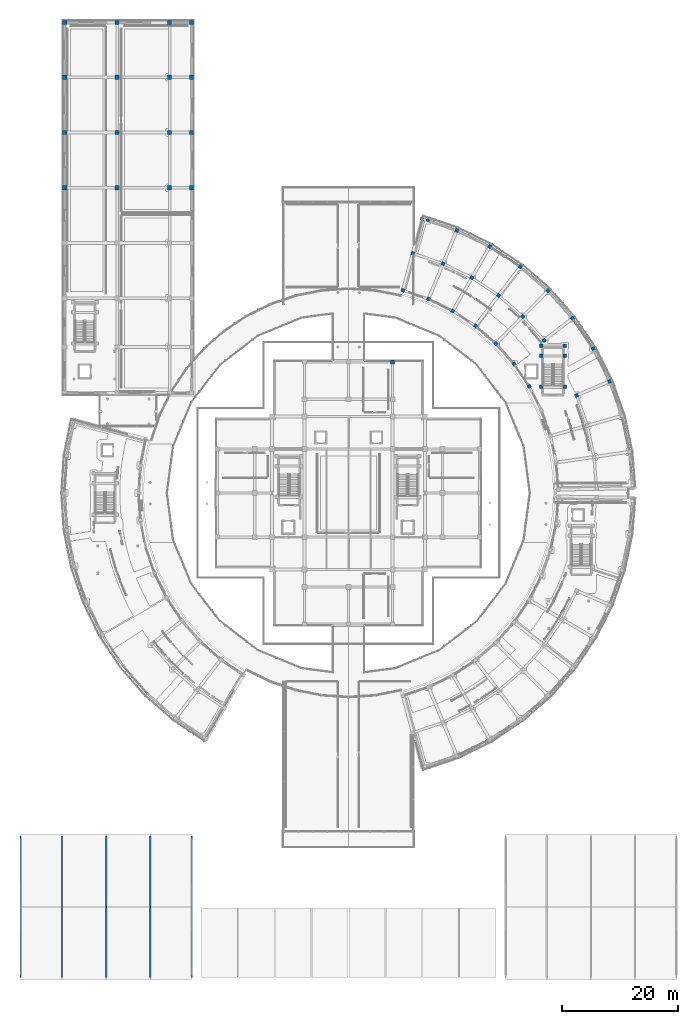
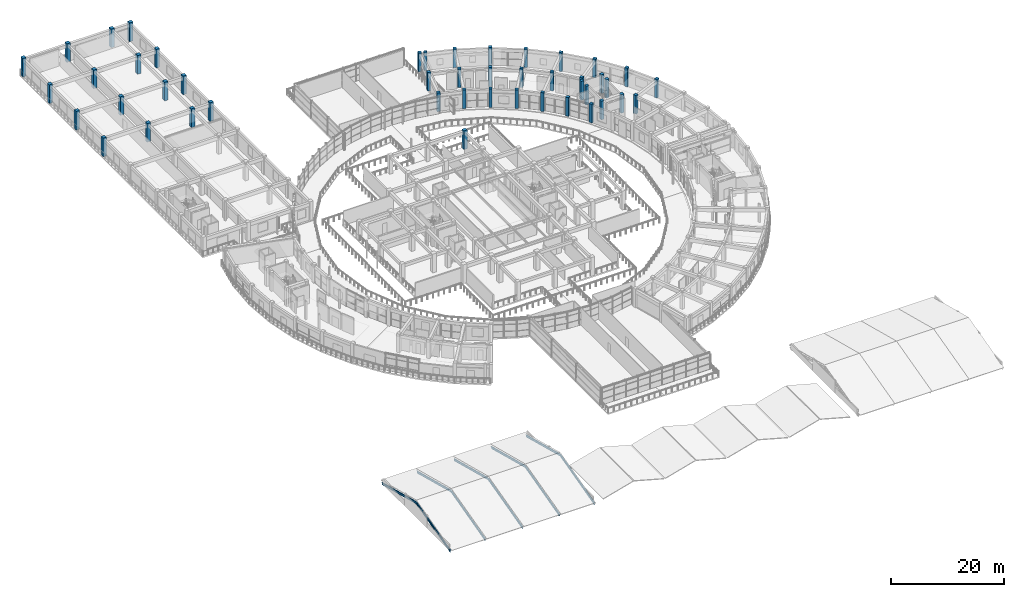
# One storey, part 10 of 83: 46 columns, 10 members.
"""IFC4 building model written with IfcOpenShell, lengths in metres."""

from ifc_helpers import new_model, si_unit, direction, frame, origin, origin_2d, place, context, subcontext, project, spatial, rectangle, i_section, extrude, material, material_profile, profile_set, type_object, element, save


model = new_model("IFC4")

# Units and contexts
model_context = context("Model", 3, precision=1e-05, world=origin(), true_north=direction((0.0, 1.0)))
body_context = subcontext(model_context, "Body", "Model", "MODEL_VIEW")
ifc_project = project(units=[si_unit("LENGTHUNIT", "METRE"), si_unit("AREAUNIT", "SQUARE_METRE"), si_unit("VOLUMEUNIT", "CUBIC_METRE"), si_unit("PLANEANGLEUNIT", "RADIAN"), si_unit("MASSUNIT", "GRAM", prefix="KILO")], contexts=[model_context])

# Site, building, storey
site_placement = place(None, origin())
site = spatial("IfcSite", under=ifc_project, at=site_placement, CompositionType="ELEMENT")
building_placement = place(site_placement, origin())
building = spatial("IfcBuilding", under=site, at=building_placement, Name="Saryqyr Civic Hall", CompositionType="ELEMENT")
storey_placement = place(building_placement, frame((0.0, 0.0, 9.14990234375)))
storey = spatial("IfcBuildingStorey", under=building, at=storey_placement, Name="L02", CompositionType="ELEMENT", Elevation=9.14990234375)

# Columns
ifc_material_1 = material(Name="Concrete C40/50", Category="concrete")
ifc_material_profile_1 = material_profile(ifc_material_1, rectangle(XDim=0.60009765625, YDim=0.60009765625, at=origin_2d()), Name="RC 600x600")
ifc_profile_set_1 = profile_set([ifc_material_profile_1], Name="Concrete C40/50")
column_type_1 = type_object("IfcColumnType", Name="STR-COL-RC600-C40", PredefinedType="COLUMN", material=ifc_profile_set_1)
for number, where, z_axis, x_axis, name in (
    (1, (96.349365234375, 100.836669921875, 0.0), (0.0, 0.0, 1.0), (0.919410138581, 0.393300136124, 0.0), "Column V6-COL-MID03-L02"),
    (2, (102.04931640625, 103.275634765625, 0.0), (0.0, 0.0, 1.0), (0.919410138581, 0.393300136124, 0.0), "Column V6-COL-OUT03-L02"),
    (3, (88.16845703125, 102.410888671875, 0.0), (0.0, 0.0, 1.0), (0.861008442465, 0.508590662521, 0.0), "Column V6-COL-IN04-L02"),
    (4, (99.189453125, 108.9208984375, 0.0), (0.0, 0.0, 1.0), (0.861008442465, 0.508590662521, 0.0), "Column V6-COL-OUT04-L02"),
    (5, (85.53564453125, 106.2744140625, 0.0), (0.0, 0.0, 1.0), (0.78822561199, 0.615386370179, 0.0), "Column V6-COL-IN05-L02"),
    (6, (90.73828125, 110.335693359375, 0.0), (0.0, 0.0, 1.0), (0.78822561199, 0.615386370179, 0.0), "Column V6-COL-MID05-L02"),
    (7, (95.625732421875, 114.150634765625, 0.0), (0.0, 0.0, 1.0), (0.78822561199, 0.615386370179, 0.0), "Column V6-COL-OUT05-L02"),
    (8, (82.427001953125, 109.7666015625, 0.0), (0.0, 0.0, 1.0), (0.70240155419, 0.711780904964, 0.0), "Column V6-COL-IN06-L02"),
    (9, (87.062744140625, 114.464111328125, 0.0), (0.0, 0.0, 1.0), (0.70240155419, 0.711780904964, 0.0), "Column V6-COL-MID06-L02"),
    (10, (91.417724609375, 118.877197265625, 0.0), (0.0, 0.0, 1.0), (0.70240155419, 0.711780904964, 0.0), "Column V6-COL-OUT06-L02"),
    (11, (78.89404296875, 112.82861328125, 0.0), (0.0, 0.0, 1.0), (0.60473812635, 0.796424383441, 0.0), "Column V6-COL-IN07-L02"),
    (12, (82.8857421875, 118.084716796875, 0.0), (0.0, 0.0, 1.0), (0.60473812635, 0.796424383441, 0.0), "Column V6-COL-MID07-L02"),
    (13, (86.635498046875, 123.022216796875, 0.0), (0.0, 0.0, 1.0), (0.60473812635, 0.796424383441, 0.0), "Column V6-COL-OUT07-L02"),
    (14, (74.995849609375, 115.409912109375, 0.0), (0.0, 0.0, 1.0), (0.4971254071, 0.867678701833, 0.0), "Column V6-COL-IN08-L02"),
    (15, (78.277099609375, 121.13671875, 0.0), (0.0, 0.0, 1.0), (0.4971254071, 0.867678701833, 0.0), "Column V6-COL-MID08-L02"),
    (16, (81.359130859375, 126.516357421875, 0.0), (0.0, 0.0, 1.0), (0.4971254071, 0.867678701833, 0.0), "Column V6-COL-OUT08-L02"),
    (17, (70.797607421875, 117.46728515625, 0.0), (0.0, 0.0, 1.0), (0.381231734269, 0.924479510204, 0.0), "Column V6-COL-IN09-L02"),
    (18, (73.313232421875, 123.569091796875, 0.0), (0.0, 0.0, 1.0), (0.381231734269, 0.924479510204, 0.0), "Column V6-COL-MID09-L02"),
    (19, (75.676513671875, 129.301025390625, 0.0), (0.0, 0.0, 1.0), (0.381231734269, 0.924479510204, 0.0), "Column V6-COL-OUT09-L02"),
    (20, (66.369140625, 118.966552734375, 0.0), (0.0, 0.0, 1.0), (0.258819045103, 0.965925826289, 0.0), "Column V6-COL-IN10-L02"),
    (21, (68.077392578125, 125.341552734375, 0.0), (0.0, 0.0, 1.0), (0.258819045103, 0.965925826289, 0.0), "Column V6-COL-MID10-L02"),
    (22, (69.68212890625, 131.330322265625, 0.0), (0.0, 0.0, 1.0), (0.258819045103, 0.965925826289, 0.0), "Column V6-COL-OUT10-L02"),
    (23, (94.340087890625, 102.3349609375, 0.0), (0.0, 0.0, 1.0), (1.0, 0.0, 0.0), "Column ST-6-SCOL-TRMA-L02"),
    (24, (90.219970703125, 102.3349609375, 0.0), (0.0, 0.0, 1.0), (1.0, 0.0, 0.0), "Column ST-6-SCOL-TRMB-L02"),
    (25, (94.340087890625, 107.64990234375, 0.0), (0.0, 0.0, 1.0), (1.0, 0.0, 0.0), "Column ST-6-SCOL-LND1A-L02"),
    (26, (90.219970703125, 107.64990234375, 0.0), (0.0, 0.0, 1.0), (1.0, 0.0, 0.0), "Column ST-6-SCOL-LND1B-L02"),
    (27, (94.340087890625, 109.3798828125, 0.0), (0.0, 0.0, 1.0), (1.0, 0.0, 0.0), "Column ST-6-SCOL-LND2A-L02"),
    (28, (90.219970703125, 109.3798828125, 0.0), (0.0, 0.0, 1.0), (1.0, 0.0, 0.0), "Column ST-6-SCOL-LND2B-L02"),
):
    element("IfcColumn", number, at=place(storey_placement, frame(where, z_axis=z_axis, x_axis=x_axis)), inside=storey, type_object=column_type_1, Name=name, PredefinedType="COLUMN", context=body_context, shape_type="SweptSolid", body=[
        extrude(rectangle(XDim=0.60009765625, YDim=0.60009765625, at=origin_2d()), origin(), (0.0, 0.0, 1.0), 4.050048828125),
    ])
ifc_material_profile_2 = material_profile(ifc_material_1, rectangle(XDim=0.699951171875, YDim=0.699951171875, at=origin_2d()), Name="RC 700x700")
ifc_profile_set_2 = profile_set([ifc_material_profile_2], Name="Concrete C40/50")
column_type_2 = type_object("IfcColumnType", Name="STR-COL-RC700-C40", PredefinedType="COLUMN", material=ifc_profile_set_2)
for number, where, z_axis, x_axis, name in (
    (29, (64.60009765625, 106.60009765625, 0.0), (0.0, 0.0, 1.0), (1.0, 0.0, 0.0), "Column V1-COL-S1P12-L02"),
    (30, (8.050048828125, 136.659912109375, 0.0), (0.0, 0.0, 1.0), (1.0, 0.0, 0.0), "Column V3-COL-15-L02"),
    (31, (8.050048828125, 146.18994140625, 0.0), (0.0, 0.0, 1.0), (1.0, 0.0, 0.0), "Column V3-COL-16-L02"),
    (32, (8.050048828125, 155.719970703125, 0.0), (0.0, 0.0, 1.0), (1.0, 0.0, 0.0), "Column V3-COL-17-L02"),
    (33, (8.050048828125, 165.14990234375, 0.0), (0.0, 0.0, 1.0), (1.0, 0.0, 0.0), "Column V3-COL-18-L02"),
    (34, (17.10009765625, 136.659912109375, 0.0), (0.0, 0.0, 1.0), (1.0, 0.0, 0.0), "Column V3-COL-25-L02"),
    (35, (17.10009765625, 146.18994140625, 0.0), (0.0, 0.0, 1.0), (1.0, 0.0, 0.0), "Column V3-COL-26-L02"),
    (36, (17.10009765625, 155.719970703125, 0.0), (0.0, 0.0, 1.0), (1.0, 0.0, 0.0), "Column V3-COL-27-L02"),
    (37, (17.10009765625, 165.14990234375, 0.0), (0.0, 0.0, 1.0), (1.0, 0.0, 0.0), "Column V3-COL-28-L02"),
    (38, (26.14990234375, 136.659912109375, 0.0), (0.0, 0.0, 1.0), (1.0, 0.0, 0.0), "Column V3-COL-35-L02"),
    (39, (26.14990234375, 146.18994140625, 0.0), (0.0, 0.0, 1.0), (1.0, 0.0, 0.0), "Column V3-COL-36-L02"),
    (40, (26.14990234375, 155.719970703125, 0.0), (0.0, 0.0, 1.0), (1.0, 0.0, 0.0), "Column V3-COL-37-L02"),
    (41, (26.14990234375, 165.14990234375, 0.0), (0.0, 0.0, 1.0), (1.0, 0.0, 0.0), "Column V3-COL-38-L02"),
    (42, (29.949951171875, 136.659912109375, 0.0), (0.0, 0.0, 1.0), (1.0, 0.0, 0.0), "Column V3-COL-45-L02"),
    (43, (29.949951171875, 146.18994140625, 0.0), (0.0, 0.0, 1.0), (1.0, 0.0, 0.0), "Column V3-COL-46-L02"),
    (44, (29.949951171875, 155.719970703125, 0.0), (0.0, 0.0, 1.0), (1.0, 0.0, 0.0), "Column V3-COL-47-L02"),
    (45, (29.949951171875, 165.14990234375, 0.0), (0.0, 0.0, 1.0), (1.0, 0.0, 0.0), "Column V3-COL-48-L02"),
):
    element("IfcColumn", number, at=place(storey_placement, frame(where, z_axis=z_axis, x_axis=x_axis)), inside=storey, type_object=column_type_2, Name=name, PredefinedType="COLUMN", context=body_context, shape_type="SweptSolid", body=[
        extrude(rectangle(XDim=0.699951171875, YDim=0.699951171875, at=origin_2d()), origin(), (0.0, 0.0, 1.0), 4.050048828125),
    ])
ifc_material_profile_3 = material_profile(ifc_material_1, rectangle(XDim=0.39990234375, YDim=0.60009765625, at=origin_2d()), Name="RC 400x600")
ifc_profile_set_3 = profile_set([ifc_material_profile_3], Name="Concrete C40/50")
column_type_3 = type_object("IfcColumnType", Name="STR-PIL-RC400x600-EXT", PredefinedType="PILASTER", material=ifc_profile_set_3)
column_placement = place(storey_placement, frame((70.670654296875, 131.054443359375, 0.0), z_axis=(0.0, 0.0, 1.0), x_axis=(0.258819045103, 0.965925826289, 0.0)))
element("IfcColumn", 46, at=column_placement, inside=storey, type_object=column_type_3, Name="Column V6-PIL-10-L02", PredefinedType="PILASTER", context=body_context, shape_type="SweptSolid", body=[
    extrude(rectangle(XDim=0.39990234375, YDim=0.60009765625, at=origin_2d()), origin(), (0.0, 0.0, 1.0), 4.050048828125),
])

# Members
ifc_material_2 = material(Name="Steel S355", Category="steel")
ifc_material_profile_4 = material_profile(ifc_material_2, i_section(OverallWidth=0.18994140625, OverallDepth=0.449951171875, WebThickness=0.009521484375, FlangeThickness=0.0146484375, at=origin_2d()), Name="IPE 450")
ifc_profile_set_4 = profile_set([ifc_material_profile_4], Name="Steel S355")
member_type = type_object("IfcMemberType", Name="STR-RAF-IPE450", PredefinedType="RAFTER", material=ifc_profile_set_4)
member_1_placement = place(storey_placement, frame((0.449951171875, 0.449951171875, -0.489990234375), z_axis=(0.0, 0.967301750199, 0.253628318732), x_axis=(-1.0, 0.0, 0.0)))
element("IfcMember", 47, at=member_1_placement, inside=storey, type_object=member_type, Name="V7W-RAF-S-1-0", PredefinedType="RAFTER", context=body_context, shape_type="SweptSolid", body=[
    extrude(i_section(OverallWidth=0.18994140625, OverallDepth=0.449951171875, WebThickness=0.009521484375, FlangeThickness=0.0146484375, at=origin_2d()), origin(), (0.0, 0.0, 1.0), 12.560791015625),
])
member_2_placement = place(storey_placement, frame((0.449951171875, 24.75, -0.489990234375), z_axis=(0.0, -0.967300499858, 0.253633087302), x_axis=(1.0, 0.0, 0.0)))
element("IfcMember", 48, at=member_2_placement, inside=storey, type_object=member_type, Name="V7W-RAF-N-1-0", PredefinedType="RAFTER", context=body_context, shape_type="SweptSolid", body=[
    extrude(i_section(OverallWidth=0.18994140625, OverallDepth=0.449951171875, WebThickness=0.009521484375, FlangeThickness=0.0146484375, at=origin_2d()), origin(), (0.0, 0.0, 1.0), 12.560546875),
])
member_3_placement = place(storey_placement, frame((7.60009765625, 0.449951171875, -0.489990234375), z_axis=(0.0, 0.967301750199, 0.253628318732), x_axis=(-1.0, 0.0, 0.0)))
element("IfcMember", 49, at=member_3_placement, inside=storey, type_object=member_type, Name="V7W-RAF-S-1-7", PredefinedType="RAFTER", context=body_context, shape_type="SweptSolid", body=[
    extrude(i_section(OverallWidth=0.18994140625, OverallDepth=0.449951171875, WebThickness=0.009521484375, FlangeThickness=0.0146484375, at=origin_2d()), origin(), (0.0, 0.0, 1.0), 12.560791015625),
])
member_4_placement = place(storey_placement, frame((7.60009765625, 24.75, -0.489990234375), z_axis=(0.0, -0.967300499858, 0.253633087302), x_axis=(1.0, 0.0, 0.0)))
element("IfcMember", 50, at=member_4_placement, inside=storey, type_object=member_type, Name="V7W-RAF-N-1-7", PredefinedType="RAFTER", context=body_context, shape_type="SweptSolid", body=[
    extrude(i_section(OverallWidth=0.18994140625, OverallDepth=0.449951171875, WebThickness=0.009521484375, FlangeThickness=0.0146484375, at=origin_2d()), origin(), (0.0, 0.0, 1.0), 12.560546875),
])
member_5_placement = place(storey_placement, frame((15.199951171875, 0.449951171875, -0.489990234375), z_axis=(0.0, 0.967301750199, 0.253628318732), x_axis=(-1.0, 0.0, 0.0)))
element("IfcMember", 51, at=member_5_placement, inside=storey, type_object=member_type, Name="V7W-RAF-S-2-15", PredefinedType="RAFTER", context=body_context, shape_type="SweptSolid", body=[
    extrude(i_section(OverallWidth=0.18994140625, OverallDepth=0.449951171875, WebThickness=0.009521484375, FlangeThickness=0.0146484375, at=origin_2d()), origin(), (0.0, 0.0, 1.0), 12.560791015625),
])
member_6_placement = place(storey_placement, frame((15.199951171875, 24.75, -0.489990234375), z_axis=(0.0, -0.967300499858, 0.253633087302), x_axis=(1.0, 0.0, 0.0)))
element("IfcMember", 52, at=member_6_placement, inside=storey, type_object=member_type, Name="V7W-RAF-N-2-15", PredefinedType="RAFTER", context=body_context, shape_type="SweptSolid", body=[
    extrude(i_section(OverallWidth=0.18994140625, OverallDepth=0.449951171875, WebThickness=0.009521484375, FlangeThickness=0.0146484375, at=origin_2d()), origin(), (0.0, 0.0, 1.0), 12.560546875),
])
member_7_placement = place(storey_placement, frame((22.800048828125, 0.449951171875, -0.489990234375), z_axis=(0.0, 0.967301750199, 0.253628318732), x_axis=(-1.0, 0.0, 0.0)))
element("IfcMember", 53, at=member_7_placement, inside=storey, type_object=member_type, Name="V7W-RAF-S-3-22", PredefinedType="RAFTER", context=body_context, shape_type="SweptSolid", body=[
    extrude(i_section(OverallWidth=0.18994140625, OverallDepth=0.449951171875, WebThickness=0.009521484375, FlangeThickness=0.0146484375, at=origin_2d()), origin(), (0.0, 0.0, 1.0), 12.560791015625),
])
member_8_placement = place(storey_placement, frame((22.800048828125, 24.75, -0.489990234375), z_axis=(0.0, -0.967300499858, 0.253633087302), x_axis=(1.0, 0.0, 0.0)))
element("IfcMember", 54, at=member_8_placement, inside=storey, type_object=member_type, Name="V7W-RAF-N-3-22", PredefinedType="RAFTER", context=body_context, shape_type="SweptSolid", body=[
    extrude(i_section(OverallWidth=0.18994140625, OverallDepth=0.449951171875, WebThickness=0.009521484375, FlangeThickness=0.0146484375, at=origin_2d()), origin(), (0.0, 0.0, 1.0), 12.560546875),
])
member_9_placement = place(storey_placement, frame((29.949951171875, 0.449951171875, -0.489990234375), z_axis=(0.0, 0.967301750199, 0.253628318732), x_axis=(-1.0, 0.0, 0.0)))
element("IfcMember", 55, at=member_9_placement, inside=storey, type_object=member_type, Name="V7W-RAF-S-4-29", PredefinedType="RAFTER", context=body_context, shape_type="SweptSolid", body=[
    extrude(i_section(OverallWidth=0.18994140625, OverallDepth=0.449951171875, WebThickness=0.009521484375, FlangeThickness=0.0146484375, at=origin_2d()), origin(), (0.0, 0.0, 1.0), 12.560791015625),
])
member_10_placement = place(storey_placement, frame((29.949951171875, 24.75, -0.489990234375), z_axis=(0.0, -0.967300499858, 0.253633087302), x_axis=(1.0, 0.0, 0.0)))
element("IfcMember", 56, at=member_10_placement, inside=storey, type_object=member_type, Name="V7W-RAF-N-4-29", PredefinedType="RAFTER", context=body_context, shape_type="SweptSolid", body=[
    extrude(i_section(OverallWidth=0.18994140625, OverallDepth=0.449951171875, WebThickness=0.009521484375, FlangeThickness=0.0146484375, at=origin_2d()), origin(), (0.0, 0.0, 1.0), 12.560546875),
])

save(model, "model.ifc")
